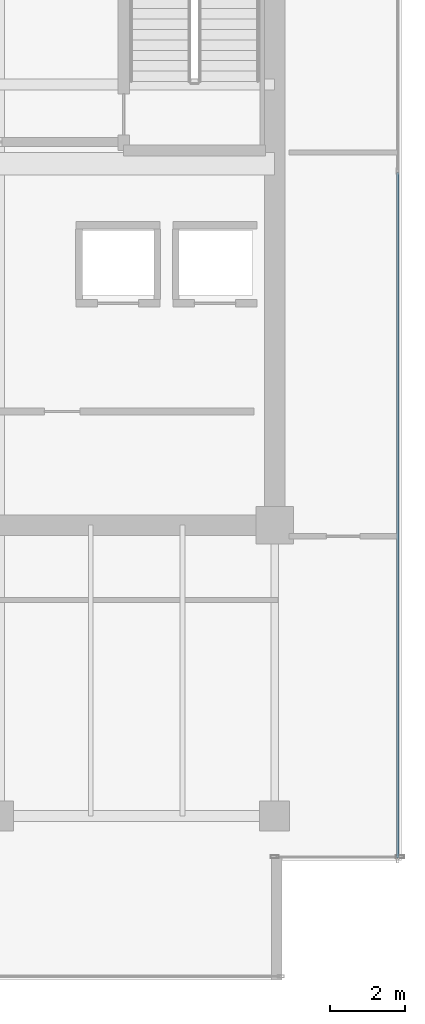
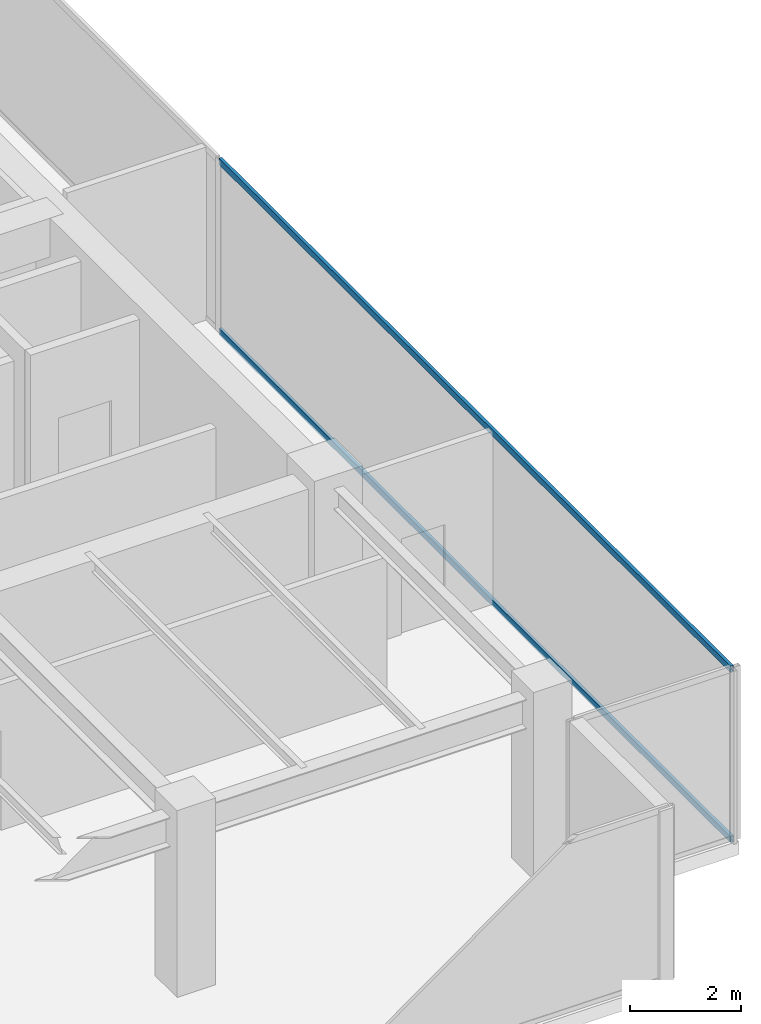
# One storey, part 23 of 33: 2 members, 1 element without a shape of its own.
"""IFC4 building model written with IfcOpenShell, lengths in metres."""

from ifc_helpers import new_model, si_unit, direction, frame, origin, origin_2d, place, context, subcontext, project, spatial, hollow_rectangle, extrude, source, transform, mapped, material, layer, layer_set, material_profile, profile_set, type_object, type_shapes, element, aggregate, save


model = new_model("IFC4")

# Units and contexts
model_context = context("Model", 3, precision=1e-05, world=origin(), true_north=direction((0.0, 1.0)))
body_context = subcontext(model_context, "Body", "Model", "MODEL_VIEW")
ifc_project = project(units=[si_unit("LENGTHUNIT", "METRE"), si_unit("AREAUNIT", "SQUARE_METRE"), si_unit("VOLUMEUNIT", "CUBIC_METRE"), si_unit("PLANEANGLEUNIT", "RADIAN"), si_unit("MASSUNIT", "GRAM", prefix="KILO")], contexts=[model_context])

# Site, building, storey
site_placement = place(None, origin())
site = spatial("IfcSite", under=ifc_project, at=site_placement, CompositionType="ELEMENT")
building_placement = place(site_placement, origin())
building = spatial("IfcBuilding", under=site, at=building_placement, Name="Haelvirn Gate Laboratories", CompositionType="ELEMENT")
storey_placement = place(building_placement, frame((0.0, 0.0, 250.60009765625)))
storey = spatial("IfcBuildingStorey", under=building, at=storey_placement, Name="L60", CompositionType="ELEMENT", Elevation=250.60009765625)

# Curtain wall, members
ifc_material_1 = material(Name="Anodised bronze unitised aluminium & triple low-E glass", Category="aluminium")
ifc_layer = layer(ifc_material_1, 0.176025390625, Name="CW-SYS-4")
ifc_layer_set = layer_set([ifc_layer], Name="Anodised bronze unitised aluminium & triple low-E glass")
curtain_wall_type = type_object("IfcCurtainWallType", Name="CW-SYS-4", PredefinedType="NOTDEFINED", material=ifc_layer_set)
curtain_wall_placement = place(storey_placement, origin())
curtain_wall = element("IfcCurtainWall", 1, at=curtain_wall_placement, inside=storey, type_object=curtain_wall_type, Name="L60 Unitised Curtain Wall CW-L60-P0-E07", PredefinedType="NOTDEFINED")
ifc_material_2 = material(Name="Extruded aluminium 6063-T6 (anodised bronze)", Category="aluminium")
ifc_material_profile = material_profile(ifc_material_2, hollow_rectangle(XDim=0.06494140625, YDim=0.139892578125, WallThickness=0.00390625, at=origin_2d()), Name="CWT-140x65x4")
ifc_profile_set = profile_set([ifc_material_profile], Name="Extruded aluminium 6063-T6 (anodised bronze)")
member_type = type_object("IfcMemberType", Name="CWT-T140", PredefinedType="USERDEFINED", material=ifc_profile_set)
shared_shape = source(origin(), body_context, "Body", "SweptSolid", [
    extrude(hollow_rectangle(XDim=0.06494140625, YDim=0.139892578125, WallThickness=0.00390625, at=origin_2d()), origin(), (0.0, 0.0, 1.0), 18.394775390625),
])
type_shapes(member_type, [shared_shape])
member_1_placement = place(storey_placement, frame((70.699951171875, 5.8701171875, 0.032470703125), z_axis=(0.0, 1.0, 0.0), x_axis=(-1.0, 0.0, 0.0)))
member_1 = element("IfcMember", 2, at=member_1_placement, type_object=member_type, Name="CW4 transom 1.1", ObjectType="TRANSOM", PredefinedType="USERDEFINED", context=body_context, shape_type="MappedRepresentation", body=[
    mapped(shared_shape, transform((0.0, 0.0, 0.0), scale=1.0)),
])
member_2_placement = place(storey_placement, frame((70.699951171875, 5.8701171875, 3.767333984375), z_axis=(0.0, 1.0, 0.0), x_axis=(-1.0, 0.0, 0.0)))
member_2 = element("IfcMember", 3, at=member_2_placement, type_object=member_type, Name="CW4 transom 1.2", ObjectType="TRANSOM", PredefinedType="USERDEFINED", context=body_context, shape_type="MappedRepresentation", body=[
    mapped(shared_shape, transform((0.0, 0.0, 0.0), scale=1.0)),
])
aggregate(curtain_wall, [member_1, member_2])

save(model, "model.ifc")
